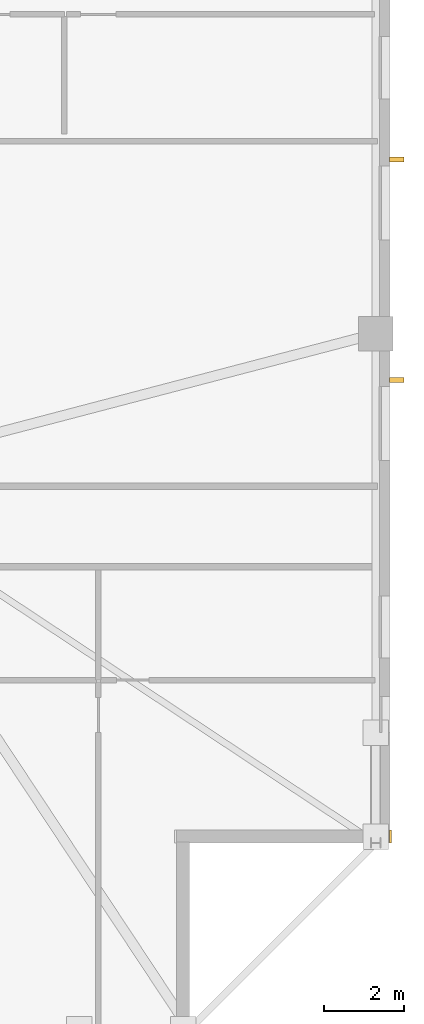
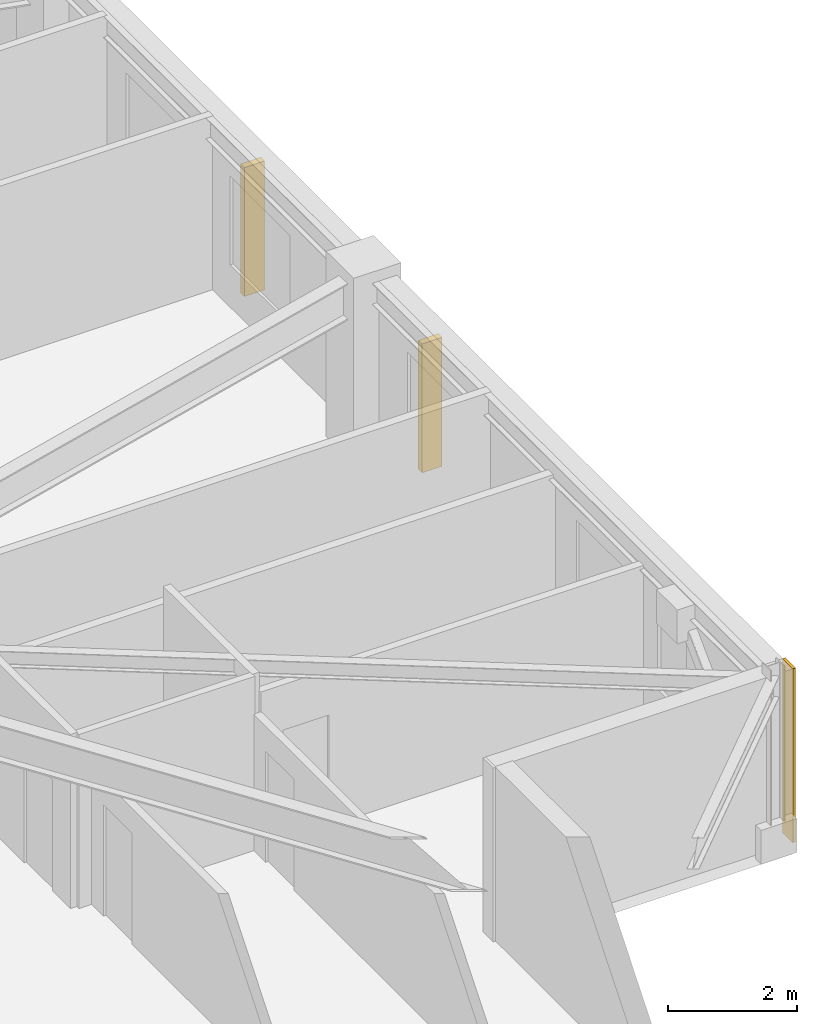
# One storey, part 15 of 17: 2 shading devices, 1 covering.
"""IFC4 building model written with IfcOpenShell, lengths in metres."""

from ifc_helpers import new_model, si_unit, direction, frame, frame_2d, origin, origin_2d, place, context, subcontext, project, spatial, rectangle, extrude, material, layer, layer_set, type_object, element, save


model = new_model("IFC4")

# Units and contexts
model_context = context("Model", 3, precision=1e-05, world=origin(), true_north=direction((0.0, 1.0)))
body_context = subcontext(model_context, "Body", "Model", "MODEL_VIEW")
ifc_project = project(units=[si_unit("LENGTHUNIT", "METRE"), si_unit("AREAUNIT", "SQUARE_METRE"), si_unit("VOLUMEUNIT", "CUBIC_METRE"), si_unit("PLANEANGLEUNIT", "RADIAN"), si_unit("MASSUNIT", "GRAM", prefix="KILO")], contexts=[model_context])

# Site, building, storey
site_placement = place(None, origin())
site = spatial("IfcSite", under=ifc_project, at=site_placement, CompositionType="ELEMENT")
building_placement = place(site_placement, origin())
building = spatial("IfcBuilding", under=site, at=building_placement, Name="Cairnveth Concourse Tower", CompositionType="ELEMENT")
storey_placement = place(building_placement, frame((0.0, 0.0, 223.5)))
storey = spatial("IfcBuildingStorey", under=building, at=storey_placement, Name="L61", CompositionType="ELEMENT", Elevation=223.5)

# Covering
ifc_material_1 = material(Name="Dressed Melbourne Bluestone Cladding", Category="masonry")
ifc_layer = layer(ifc_material_1, 0.050048828125)
ifc_layer_set = layer_set([ifc_layer], Name="Dressed Melbourne Bluestone Cladding")
covering_type = type_object("IfcCoveringType", Name="DRESSED BLUESTONE PLINTH CLADDING 50", PredefinedType="CLADDING", material=ifc_layer_set)
covering_placement = place(storey_placement, frame((74.52001953125, 21.820068359375, 0.0), z_axis=(0.0, 0.0, 1.0), x_axis=(0.0, -1.0, 0.0)))
element("IfcCovering", 1, at=covering_placement, inside=storey, type_object=covering_type, Name="Melbourne Bluestone Corner Quoin L61-915", PredefinedType="CLADDING", context=body_context, shape_type="SweptSolid", body=[
    extrude(rectangle(XDim=0.320068359375, YDim=0.050048828125, at=frame_2d((0.16015625, 0.0))), origin(), (0.0, 0.0, 1.0), 3.2900390625),
])

# Shading devices
ifc_material_2 = material(Name="Architectural Bronze Anodised Aluminium 6063-T6", Category="aluminium")
shading_device_type = type_object("IfcShadingDeviceType", Name="GOTHIC BRONZE VERTICAL LANCET FIN", PredefinedType="USERDEFINED", material=ifc_material_2)
for number, where, z_axis, x_axis, name in (
    (2, (74.675048828125, 38.54638671875, 0.030029296875), (0.0, 0.0, 1.0), (0.0, 1.0, 0.0), "Gothic Bronze Vertical Fin L61-3-5"),
    (3, (74.675048828125, 33.0458984375, 0.030029296875), (0.0, 0.0, 1.0), (0.0, 1.0, 0.0), "Gothic Bronze Vertical Fin L61-3-7"),
):
    element("IfcShadingDevice", number, at=place(storey_placement, frame(where, z_axis=z_axis, x_axis=x_axis)), inside=storey, type_object=shading_device_type, Name=name, ObjectType="VERTICAL FIN", PredefinedType="USERDEFINED", context=body_context, shape_type="SweptSolid", body=[
        extrude(rectangle(XDim=0.1201171875, YDim=0.360107421875, at=origin_2d()), origin(), (0.0, 0.0, 1.0), 2.43798828125),
    ])

save(model, "model.ifc")
